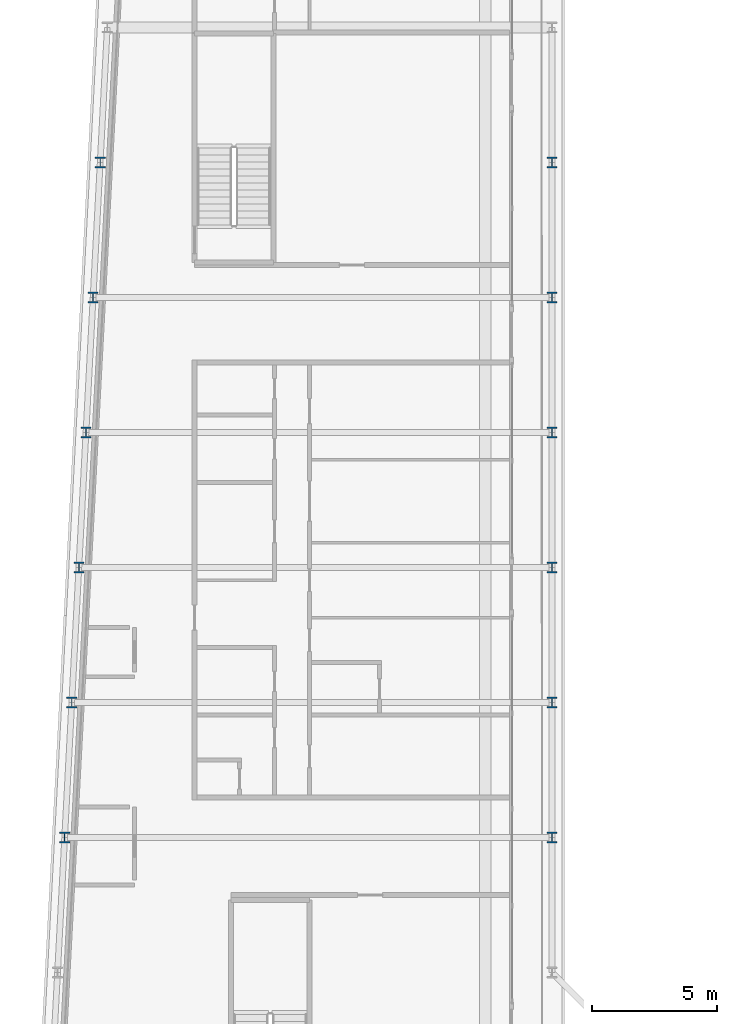
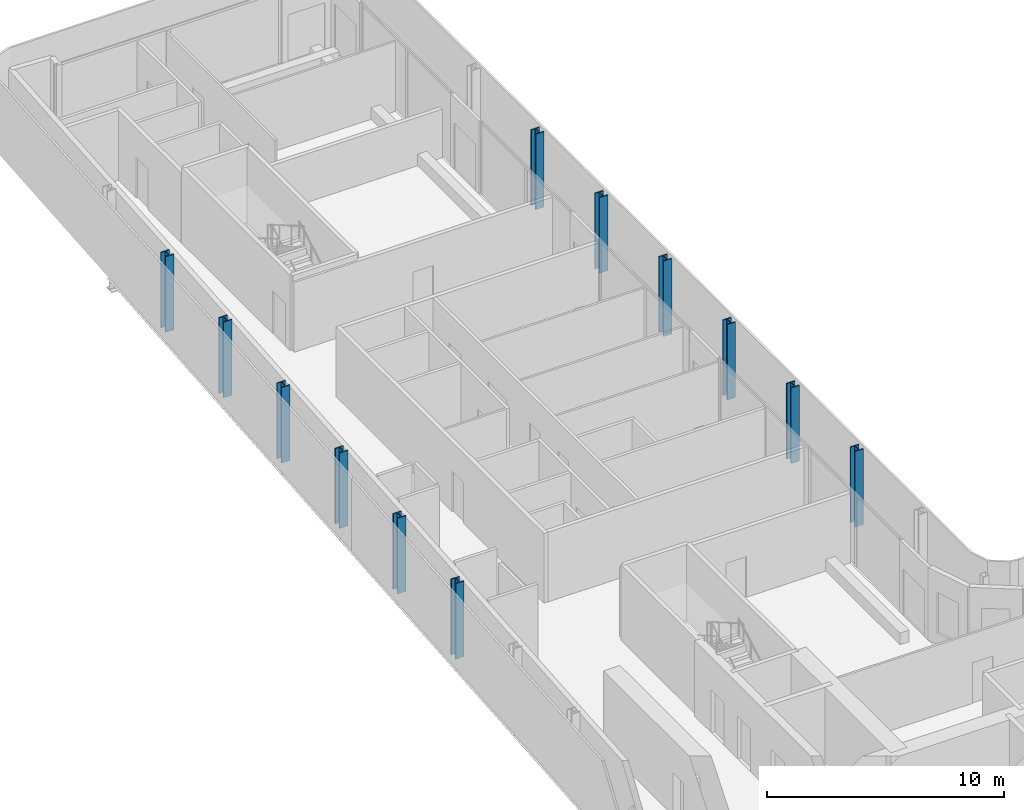
# One storey, part 3 of 29: 12 columns.
"""IFC4 building model written with IfcOpenShell, lengths in metres."""

from ifc_helpers import new_model, si_unit, direction, frame, origin, origin_2d, place, context, subcontext, project, spatial, i_section, extrude, material, material_profile, profile_set, type_object, element, save


model = new_model("IFC4")

# Units and contexts
model_context = context("Model", 3, precision=1e-05, world=origin(), true_north=direction((0.0, 1.0)))
body_context = subcontext(model_context, "Body", "Model", "MODEL_VIEW")
ifc_project = project(units=[si_unit("LENGTHUNIT", "METRE"), si_unit("AREAUNIT", "SQUARE_METRE"), si_unit("VOLUMEUNIT", "CUBIC_METRE"), si_unit("PLANEANGLEUNIT", "RADIAN"), si_unit("MASSUNIT", "GRAM", prefix="KILO")], contexts=[model_context])

# Site, building, storey
site_placement = place(None, origin())
site = spatial("IfcSite", under=ifc_project, at=site_placement, CompositionType="ELEMENT")
building_placement = place(site_placement, origin())
building = spatial("IfcBuilding", under=site, at=building_placement, Name="Kheshtan School and Residences Tower", CompositionType="ELEMENT")
storey_placement = place(building_placement, frame((0.0, 0.0, 172.10009765625)))
storey = spatial("IfcBuildingStorey", under=building, at=storey_placement, Name="L40", CompositionType="ELEMENT", Elevation=172.10009765625)

# Columns
ifc_material = material(Name="Steel ASTM A992 Grade 50", Category="steel")
ifc_material_profile = material_profile(ifc_material, i_section(OverallWidth=0.408935546875, OverallDepth=0.425048828125, WebThickness=0.03271484375, FlangeThickness=0.052490234375, FilletRadius=0.0126953125, at=origin_2d()), Name="W360x421")
ifc_profile_set = profile_set([ifc_material_profile], Name="Steel ASTM A992 Grade 50")
column_type = type_object("IfcColumnType", Name="Column C3 W360x421 ASTM A992 Grade 50", PredefinedType="COLUMN", material=ifc_profile_set)
for number, where, z_axis, x_axis, name in (
    (1, (28.10595703125, 56.39990234375, 0.0), (0.0, 0.0, 1.0), (1.0, 0.0, 0.0), "Column C080"),
    (2, (47.60009765625, 56.39990234375, 0.0), (0.0, 0.0, 1.0), (1.0, 0.0, 0.0), "Column C081"),
    (3, (28.389892578125, 61.800048828125, 0.0), (0.0, 0.0, 1.0), (1.0, 0.0, 0.0), "Column C082"),
    (4, (47.60009765625, 61.800048828125, 0.0), (0.0, 0.0, 1.0), (1.0, 0.0, 0.0), "Column C083"),
    (5, (28.674072265625, 67.199951171875, 0.0), (0.0, 0.0, 1.0), (1.0, 0.0, 0.0), "Column C084"),
    (6, (47.60009765625, 67.199951171875, 0.0), (0.0, 0.0, 1.0), (1.0, 0.0, 0.0), "Column C085"),
    (7, (28.9580078125, 72.60009765625, 0.0), (0.0, 0.0, 1.0), (1.0, 0.0, 0.0), "Column C086"),
    (8, (47.60009765625, 72.60009765625, 0.0), (0.0, 0.0, 1.0), (1.0, 0.0, 0.0), "Column C087"),
    (9, (29.242919921875, 78.0, 0.0), (0.0, 0.0, 1.0), (1.0, 0.0, 0.0), "Column C088"),
    (10, (47.60009765625, 78.0, 0.0), (0.0, 0.0, 1.0), (1.0, 0.0, 0.0), "Column C089"),
    (11, (29.527099609375, 83.39990234375, 0.0), (0.0, 0.0, 1.0), (1.0, 0.0, 0.0), "Column C090"),
    (12, (47.60009765625, 83.39990234375, 0.0), (0.0, 0.0, 1.0), (1.0, 0.0, 0.0), "Column C091"),
):
    element("IfcColumn", number, at=place(storey_placement, frame(where, z_axis=z_axis, x_axis=x_axis)), inside=storey, type_object=column_type, Name=name, PredefinedType="COLUMN", context=body_context, shape_type="SweptSolid", body=[
        extrude(i_section(OverallWidth=0.408935546875, OverallDepth=0.425048828125, WebThickness=0.03271484375, FlangeThickness=0.052490234375, FilletRadius=0.0126953125, at=origin_2d()), origin(), (0.0, 0.0, 1.0), 3.89990234375),
    ])

save(model, "model.ifc")
